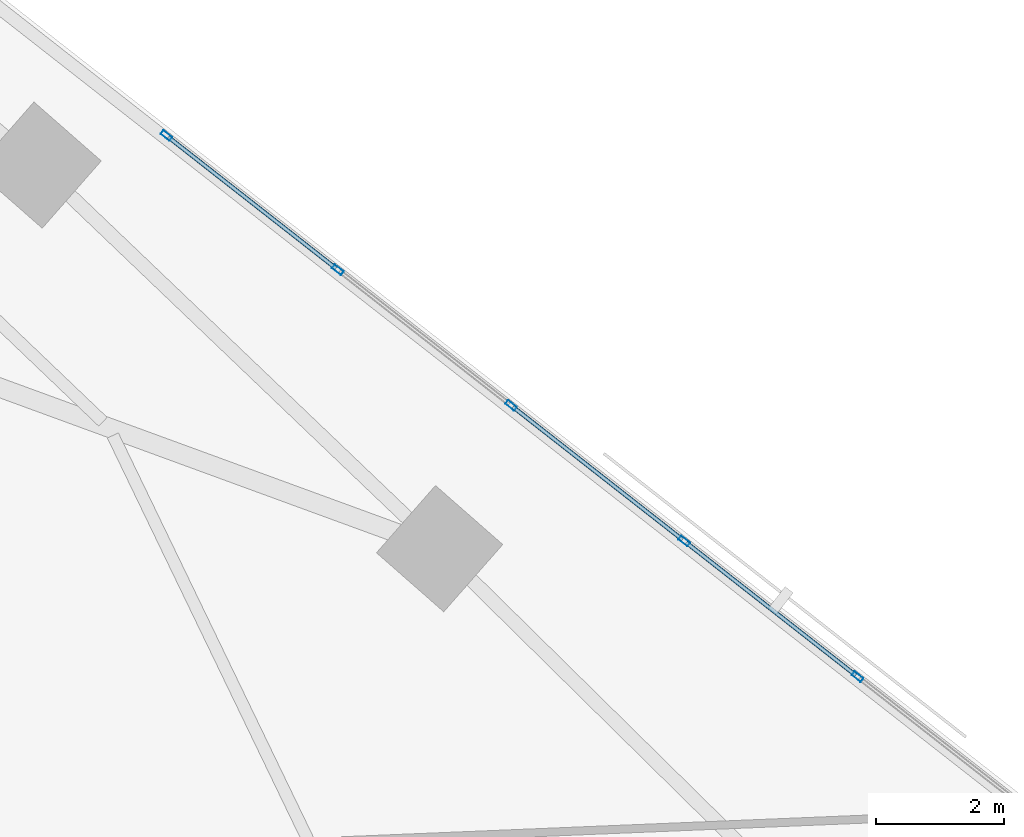
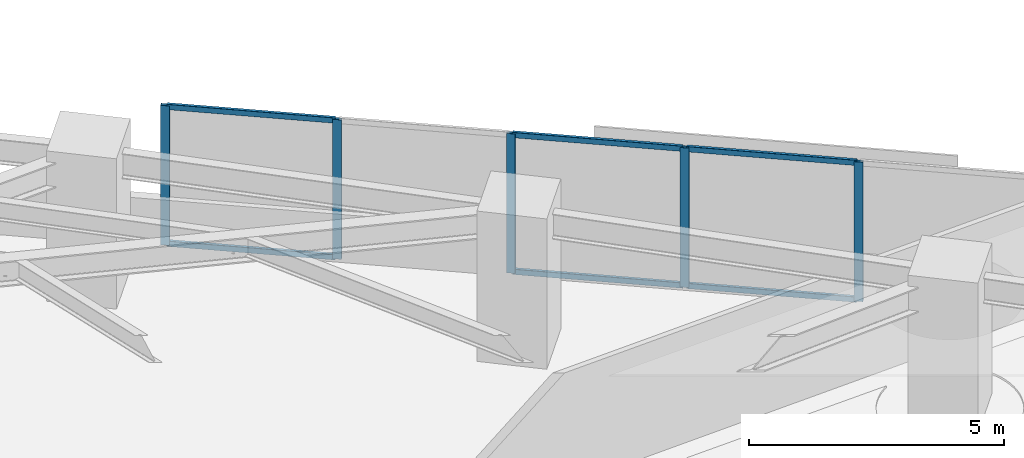
# One storey, part 7 of 16: 11 members, 1 element without a shape of its own.
"""IFC4 building model written with IfcOpenShell, lengths in metres."""

import ifcopenshell
import ifcopenshell.guid

model = None  # the IFC model being written
_history = None  # IfcOwnerHistory: only IFC2X3 demands one
_inside = {}  # id of a spatial element -> (the spatial element, [elements in it])
_under = {}  # id of a project, library or spatial element -> (it, [spatial elements below it])
_declared = {}  # id of a project -> (the project, [libraries it declares])
_typed = {}  # id of a type object -> (the type object, [elements of that type])
_made_of = {}  # id of a material, layer set ... -> (it, [elements and type objects made of it])


def new_model(schema):
    """Start an empty IFC model of exactly this schema.

    Asked for "IFC4X3", IfcOpenShell would pick the latest addendum, in which some entities
    have other attributes; the version numbers below select the first issue.
    IFC2X3 requires an IfcOwnerHistory on every rooted entity: one is made here for all.
    """
    global model, _history
    if schema == "IFC4X3":
        model = ifcopenshell.file(schema_version=(4, 3, 0, 0))
    else:
        model = ifcopenshell.file(schema=schema)
    _inside.clear()
    _under.clear()
    _declared.clear()
    _typed.clear()
    _made_of.clear()
    _history = None
    if model.schema == "IFC2X3":
        org = make("IfcOrganization", Name="unknown")
        user = make(
            "IfcPersonAndOrganization",
            ThePerson=make("IfcPerson", FamilyName="unknown"),
            TheOrganization=org,
        )
        app = make(
            "IfcApplication",
            ApplicationDeveloper=org,
            Version="unknown",
            ApplicationFullName="unknown",
            ApplicationIdentifier="unknown",
        )
        _history = make(
            "IfcOwnerHistory",
            OwningUser=user,
            OwningApplication=app,
            ChangeAction="ADDED",
            CreationDate=0,
        )
    return model


def make(cls, **values):
    """One entity of the class cls with the attributes given. An attribute that is None is left unset."""
    return model.create_entity(
        cls, **{name: value for name, value in values.items() if value is not None}
    )


def rooted(cls, **values):
    """An entity with a GlobalId (a new one), such as an element, a storey or a relation."""
    return make(cls, GlobalId=ifcopenshell.guid.new(), OwnerHistory=_history, **values)


def si_unit(unit_type, name, prefix=None):
    """IfcSIUnit, for example si_unit("LENGTHUNIT", "METRE", prefix="MILLI")."""
    return make("IfcSIUnit", UnitType=unit_type, Prefix=prefix, Name=name)


def assignment(units):
    """IfcUnitAssignment: the units of a project."""
    return None if units is None else make("IfcUnitAssignment", Units=units)


def point(xyz):
    """IfcCartesianPoint."""
    return None if xyz is None else make("IfcCartesianPoint", Coordinates=xyz)


def direction(xyz):
    """IfcDirection."""
    return None if xyz is None else make("IfcDirection", DirectionRatios=xyz)


def frame(location, z_axis=None, x_axis=None):
    """IfcAxis2Placement3D, a coordinate frame: its origin and axes. An axis left out is left unset."""
    return make(
        "IfcAxis2Placement3D",
        Location=point(location),
        Axis=direction(z_axis),
        RefDirection=direction(x_axis),
    )


def frame_2d(location, x_axis=None):
    """IfcAxis2Placement2D, a coordinate frame in the plane: its origin and x axis."""
    return make(
        "IfcAxis2Placement2D", Location=point(location), RefDirection=direction(x_axis)
    )


def origin():
    """The frame at (0, 0, 0) with its axes left unset."""
    return frame((0.0, 0.0, 0.0))


def origin_2d():
    """The frame at (0, 0) in the plane with its x axis left unset."""
    return frame_2d((0.0, 0.0))


def place(relative_to, where):
    """IfcLocalPlacement: puts the frame where relative to a parent placement (None: the world)."""
    return make(
        "IfcLocalPlacement", PlacementRelTo=relative_to, RelativePlacement=where
    )


def context(
    kind, dimensions, precision=None, world=None, true_north=None, identifier=None
):
    """IfcGeometricRepresentationContext, for example the 3D "Model" context."""
    return make(
        "IfcGeometricRepresentationContext",
        ContextIdentifier=identifier,
        ContextType=kind,
        CoordinateSpaceDimension=dimensions,
        Precision=precision,
        WorldCoordinateSystem=world,
        TrueNorth=true_north,
    )


def subcontext(parent, identifier, kind, view, scale=None):
    """IfcGeometricRepresentationSubContext, for example "Body" below "Model"."""
    return make(
        "IfcGeometricRepresentationSubContext",
        ContextIdentifier=identifier,
        ContextType=kind,
        ParentContext=parent,
        TargetScale=scale,
        TargetView=view,
    )


def project(units=None, contexts=None):
    """IfcProject with its units and contexts."""
    return rooted(
        "IfcProject",
        Name="project",
        RepresentationContexts=contexts,
        UnitsInContext=assignment(units),
    )


def spatial(cls, under=None, at=None, **own):
    """A site, building, storey or space (cls), placed at a placement, below another one or the project."""
    s = rooted(cls, ObjectPlacement=at, **own)
    if under is not None:
        _under.setdefault(under.id(), (under, []))[1].append(s)
    return s


def profile(cls, at=None, kind="AREA", **sizes):
    """A parametric profile (cls). Its sizes go by their IFC names, for example OverallWidth=200.0."""
    return make(cls, ProfileType=kind, Position=at, **sizes)


def hollow_rectangle(**sizes):
    """IfcRectangleHollowProfileDef."""
    return profile("IfcRectangleHollowProfileDef", **sizes)


def extrude(swept, where, along, depth):
    """IfcExtrudedAreaSolid: the profile swept, set in the frame where, extruded along a direction by depth."""
    return make(
        "IfcExtrudedAreaSolid",
        SweptArea=swept,
        Position=where,
        ExtrudedDirection=direction(along),
        Depth=depth,
    )


def shape(context_of_items, identifier, shape_type, items):
    """IfcShapeRepresentation: the items that make up one representation, for example the "Body"."""
    return make(
        "IfcShapeRepresentation",
        ContextOfItems=context_of_items,
        RepresentationIdentifier=identifier,
        RepresentationType=shape_type,
        Items=items,
    )


def material(Name=None, Category=None):
    """IfcMaterial."""
    return make("IfcMaterial", Name=Name, Category=Category)


def material_profile(
    of_material, cross_section, Name=None, Category=None, Priority=None
):
    """IfcMaterialProfile: a cross section and its material."""
    return make(
        "IfcMaterialProfile",
        Name=Name,
        Material=of_material,
        Profile=cross_section,
        Priority=Priority,
        Category=Category,
    )


def profile_set(profiles, Name=None, composite=None):
    """IfcMaterialProfileSet."""
    return make(
        "IfcMaterialProfileSet",
        Name=Name,
        MaterialProfiles=profiles,
        CompositeProfile=composite,
    )


def made_of(thing, what):
    """Note that an element or type object is made of a material, layer set ...; save() writes the relation."""
    if what is not None:
        _made_of.setdefault(what.id(), (what, []))[1].append(thing)
    return thing


def type_object(cls, material=None, **own):
    """A type object (cls), such as IfcWallType, which elements share."""
    return made_of(rooted(cls, **own), material)


def element(
    cls,
    number,
    at=None,
    inside=None,
    cuts=None,
    type_object=None,
    material=None,
    context=None,
    identifier="Body",
    shape_type=None,
    held_by="IfcProductDefinitionShape",
    body=None,
    shapes=None,
    **own,
):
    """One element of the class cls, such as IfcWall. Its Tag is "e" and its number.

    at: its placement. inside: the storey or other place that contains it. cuts: it is an
    opening in that element (IfcRelVoidsElement). A single representation is given by context,
    identifier, shape_type and body (its items); several are given by shapes. held_by: the class
    of the entity that holds the representations. save() writes the other relations.
    """
    e = rooted(cls, Tag="e%d" % number, ObjectPlacement=at, **own)
    if body is not None:
        shapes = [shape(context, identifier, shape_type, body)]
    if shapes is not None:
        e.Representation = make(held_by, Representations=shapes)
    if inside is not None:
        _inside.setdefault(inside.id(), (inside, []))[1].append(e)
    if cuts is not None:
        rooted(
            "IfcRelVoidsElement", RelatingBuildingElement=cuts, RelatedOpeningElement=e
        )
    if type_object is not None:
        _typed.setdefault(type_object.id(), (type_object, []))[1].append(e)
    return made_of(e, material)


def aggregate(whole, parts):
    """IfcRelAggregates: a whole, such as a stair, and the parts it consists of."""
    return rooted("IfcRelAggregates", RelatingObject=whole, RelatedObjects=parts)


def save(model, path):
    """Write the relations noted so far, then the file.

    IfcRelAggregates (storeys below a building ...), IfcRelContainedInSpatialStructure (elements
    in a storey), IfcRelDefinesByType, IfcRelAssociatesMaterial and IfcRelDeclares: one each for
    every whole, place, type object, material and project.
    """
    for whole, parts in _under.values():
        aggregate(whole, parts)
    for where, things in _inside.values():
        rooted(
            "IfcRelContainedInSpatialStructure",
            RelatedElements=things,
            RelatingStructure=where,
        )
    for kind, things in _typed.values():
        rooted("IfcRelDefinesByType", RelatedObjects=things, RelatingType=kind)
    for what, things in _made_of.values():
        rooted("IfcRelAssociatesMaterial", RelatedObjects=things, RelatingMaterial=what)
    for by, libraries in _declared.values():
        rooted("IfcRelDeclares", RelatingContext=by, RelatedDefinitions=libraries)
    model.write(path)


model = new_model("IFC4")

# Units and contexts
model_context = context("Model", 3, precision=1e-05, world=origin(), true_north=direction((0.0, 1.0)))
body_context = subcontext(model_context, "Body", "Model", "MODEL_VIEW")
ifc_project = project(units=[si_unit("LENGTHUNIT", "METRE"), si_unit("AREAUNIT", "SQUARE_METRE"), si_unit("VOLUMEUNIT", "CUBIC_METRE"), si_unit("PLANEANGLEUNIT", "RADIAN"), si_unit("MASSUNIT", "GRAM", prefix="KILO")], contexts=[model_context])

# Site, building, storey
site_placement = place(None, origin())
site = spatial("IfcSite", under=ifc_project, at=site_placement, CompositionType="ELEMENT")
building_placement = place(site_placement, origin())
building = spatial("IfcBuilding", under=site, at=building_placement, Name="Narakoshi Arena Tower", CompositionType="ELEMENT")
storey_placement = place(building_placement, frame((0.0, 0.0, 81.300048828125)))
storey = spatial("IfcBuildingStorey", under=building, at=storey_placement, Name="L21", CompositionType="ELEMENT", Elevation=81.300048828125)

# Curtain wall, members
ifc_material = material(Name="Anodised bronze aluminium 6063-T6", Category="aluminium")
curtain_wall_type = type_object("IfcCurtainWallType", Name="CW-HYP-LOW", PredefinedType="NOTDEFINED", material=ifc_material)
curtain_wall_placement = place(storey_placement, origin())
curtain_wall = element("IfcCurtainWall", 1, at=curtain_wall_placement, inside=storey, type_object=curtain_wall_type, Name="L21 Folded Hypotenuse Curtain Wall 1-1", PredefinedType="NOTDEFINED")
ifc_material_profile_1 = material_profile(ifc_material, hollow_rectangle(XDim=0.074951171875, YDim=0.179931640625, WallThickness=0.00390625, OuterFilletRadius=0.0048828125, at=origin_2d()), Name="MUL180x75x4")
ifc_profile_set_1 = profile_set([ifc_material_profile_1], Name="Anodised bronze aluminium 6063-T6")
member_type_1 = type_object("IfcMemberType", Name="MEM-MUL-180", PredefinedType="MULLION", material=ifc_profile_set_1)
member_1_placement = place(storey_placement, frame((107.304443359375, 48.927490234375, 0.0), z_axis=(0.0, 0.0, 1.0), x_axis=(-0.616458234641, -0.787387607817, 0.0)))
member_1 = element("IfcMember", 2, at=member_1_placement, type_object=member_type_1, Name="CW-01 mullion 6", PredefinedType="MULLION", context=body_context, shape_type="SweptSolid", body=[
    extrude(hollow_rectangle(XDim=0.074951171875, YDim=0.179931640625, WallThickness=0.00390625, OuterFilletRadius=0.0048828125, at=origin_2d()), origin(), (0.0, 0.0, 1.0), 3.33984375),
])
member_2_placement = place(storey_placement, frame((104.5927734375, 51.050537109375, 0.0), z_axis=(0.0, 0.0, 1.0), x_axis=(-0.616458234641, -0.787387607817, 0.0)))
member_2 = element("IfcMember", 3, at=member_2_placement, type_object=member_type_1, Name="CW-01 mullion 7", PredefinedType="MULLION", context=body_context, shape_type="SweptSolid", body=[
    extrude(hollow_rectangle(XDim=0.074951171875, YDim=0.179931640625, WallThickness=0.00390625, OuterFilletRadius=0.0048828125, at=origin_2d()), origin(), (0.0, 0.0, 1.0), 3.33984375),
])
member_3_placement = place(storey_placement, frame((101.88134765625, 53.17333984375, 0.0), z_axis=(0.0, 0.0, 1.0), x_axis=(-0.616458234641, -0.787387607817, 0.0)))
member_3 = element("IfcMember", 4, at=member_3_placement, type_object=member_type_1, Name="CW-01 mullion 8", PredefinedType="MULLION", context=body_context, shape_type="SweptSolid", body=[
    extrude(hollow_rectangle(XDim=0.074951171875, YDim=0.179931640625, WallThickness=0.00390625, OuterFilletRadius=0.0048828125, at=origin_2d()), origin(), (0.0, 0.0, 1.0), 3.33984375),
])
member_4_placement = place(storey_placement, frame((99.169677734375, 55.29638671875, 0.0), z_axis=(0.0, 0.0, 1.0), x_axis=(-0.616458234641, -0.787387607817, 0.0)))
member_4 = element("IfcMember", 5, at=member_4_placement, type_object=member_type_1, Name="CW-01 mullion 9", PredefinedType="MULLION", context=body_context, shape_type="SweptSolid", body=[
    extrude(hollow_rectangle(XDim=0.074951171875, YDim=0.179931640625, WallThickness=0.00390625, OuterFilletRadius=0.0048828125, at=origin_2d()), origin(), (0.0, 0.0, 1.0), 3.33984375),
])
member_5_placement = place(storey_placement, frame((96.48779296875, 57.39599609375, 0.0), z_axis=(0.0, 0.0, 1.0), x_axis=(-0.616458234641, -0.787387607817, 0.0)))
member_5 = element("IfcMember", 6, at=member_5_placement, type_object=member_type_1, Name="CW-01 mullion 10", PredefinedType="MULLION", context=body_context, shape_type="SweptSolid", body=[
    extrude(hollow_rectangle(XDim=0.074951171875, YDim=0.179931640625, WallThickness=0.00390625, OuterFilletRadius=0.0048828125, at=origin_2d()), origin(), (0.0, 0.0, 1.0), 3.33984375),
])
ifc_material_profile_2 = material_profile(ifc_material, hollow_rectangle(XDim=0.06494140625, YDim=0.1298828125, WallThickness=0.00390625, OuterFilletRadius=0.0048828125, at=origin_2d()), Name="TRN130x65x4")
ifc_profile_set_2 = profile_set([ifc_material_profile_2], Name="Anodised bronze aluminium 6063-T6")
member_type_2 = type_object("IfcMemberType", Name="MEM-TRN-130", PredefinedType="USERDEFINED", material=ifc_profile_set_2)
member_6_placement = place(storey_placement, frame((107.27490234375, 48.95068359375, 0.032470703125), z_axis=(-0.787400998112, 0.616441131149, 0.0), x_axis=(-0.616441131149, -0.787400998112, 0.0)))
member_6 = element("IfcMember", 7, at=member_6_placement, type_object=member_type_2, Name="CW-01 transom 6.1", ObjectType="TRANSOM", PredefinedType="USERDEFINED", context=body_context, shape_type="SweptSolid", body=[
    extrude(hollow_rectangle(XDim=0.06494140625, YDim=0.1298828125, WallThickness=0.00390625, OuterFilletRadius=0.0048828125, at=origin_2d()), origin(), (0.0, 0.0, 1.0), 3.368896484375),
])
member_7_placement = place(storey_placement, frame((107.27490234375, 48.95068359375, 3.307373046875), z_axis=(-0.787400998112, 0.616441131149, 0.0), x_axis=(-0.616441131149, -0.787400998112, 0.0)))
member_7 = element("IfcMember", 8, at=member_7_placement, type_object=member_type_2, Name="CW-01 transom 6.2", ObjectType="TRANSOM", PredefinedType="USERDEFINED", context=body_context, shape_type="SweptSolid", body=[
    extrude(hollow_rectangle(XDim=0.06494140625, YDim=0.1298828125, WallThickness=0.00390625, OuterFilletRadius=0.0048828125, at=origin_2d()), origin(), (0.0, 0.0, 1.0), 3.368896484375),
])
member_8_placement = place(storey_placement, frame((104.563232421875, 51.073486328125, 0.032470703125), z_axis=(-0.787373456673, 0.616476309137, 0.0), x_axis=(-0.616476309137, -0.787373456673, 0.0)))
member_8 = element("IfcMember", 9, at=member_8_placement, type_object=member_type_2, Name="CW-01 transom 7.1", ObjectType="TRANSOM", PredefinedType="USERDEFINED", context=body_context, shape_type="SweptSolid", body=[
    extrude(hollow_rectangle(XDim=0.06494140625, YDim=0.1298828125, WallThickness=0.00390625, OuterFilletRadius=0.0048828125, at=origin_2d()), origin(), (0.0, 0.0, 1.0), 3.36865234375),
])
member_9_placement = place(storey_placement, frame((104.563232421875, 51.073486328125, 3.307373046875), z_axis=(-0.787373456673, 0.616476309137, 0.0), x_axis=(-0.616476309137, -0.787373456673, 0.0)))
member_9 = element("IfcMember", 10, at=member_9_placement, type_object=member_type_2, Name="CW-01 transom 7.2", ObjectType="TRANSOM", PredefinedType="USERDEFINED", context=body_context, shape_type="SweptSolid", body=[
    extrude(hollow_rectangle(XDim=0.06494140625, YDim=0.1298828125, WallThickness=0.00390625, OuterFilletRadius=0.0048828125, at=origin_2d()), origin(), (0.0, 0.0, 1.0), 3.36865234375),
])
member_10_placement = place(storey_placement, frame((99.14013671875, 55.3193359375, 0.032470703125), z_axis=(-0.787347227026, 0.616509808596, 0.0), x_axis=(-0.616509808596, -0.787347227026, 0.0)))
member_10 = element("IfcMember", 11, at=member_10_placement, type_object=member_type_2, Name="CW-01 transom 9.1", ObjectType="TRANSOM", PredefinedType="USERDEFINED", context=body_context, shape_type="SweptSolid", body=[
    extrude(hollow_rectangle(XDim=0.06494140625, YDim=0.1298828125, WallThickness=0.00390625, OuterFilletRadius=0.0048828125, at=origin_2d()), origin(), (0.0, 0.0, 1.0), 3.331298828125),
])
member_11_placement = place(storey_placement, frame((99.14013671875, 55.3193359375, 3.307373046875), z_axis=(-0.787347227026, 0.616509808596, 0.0), x_axis=(-0.616509808596, -0.787347227026, 0.0)))
member_11 = element("IfcMember", 12, at=member_11_placement, type_object=member_type_2, Name="CW-01 transom 9.2", ObjectType="TRANSOM", PredefinedType="USERDEFINED", context=body_context, shape_type="SweptSolid", body=[
    extrude(hollow_rectangle(XDim=0.06494140625, YDim=0.1298828125, WallThickness=0.00390625, OuterFilletRadius=0.0048828125, at=origin_2d()), origin(), (0.0, 0.0, 1.0), 3.331298828125),
])
aggregate(curtain_wall, [member_1, member_2, member_3, member_4, member_5, member_6, member_7, member_8, member_9, member_10, member_11])

save(model, "model.ifc")
